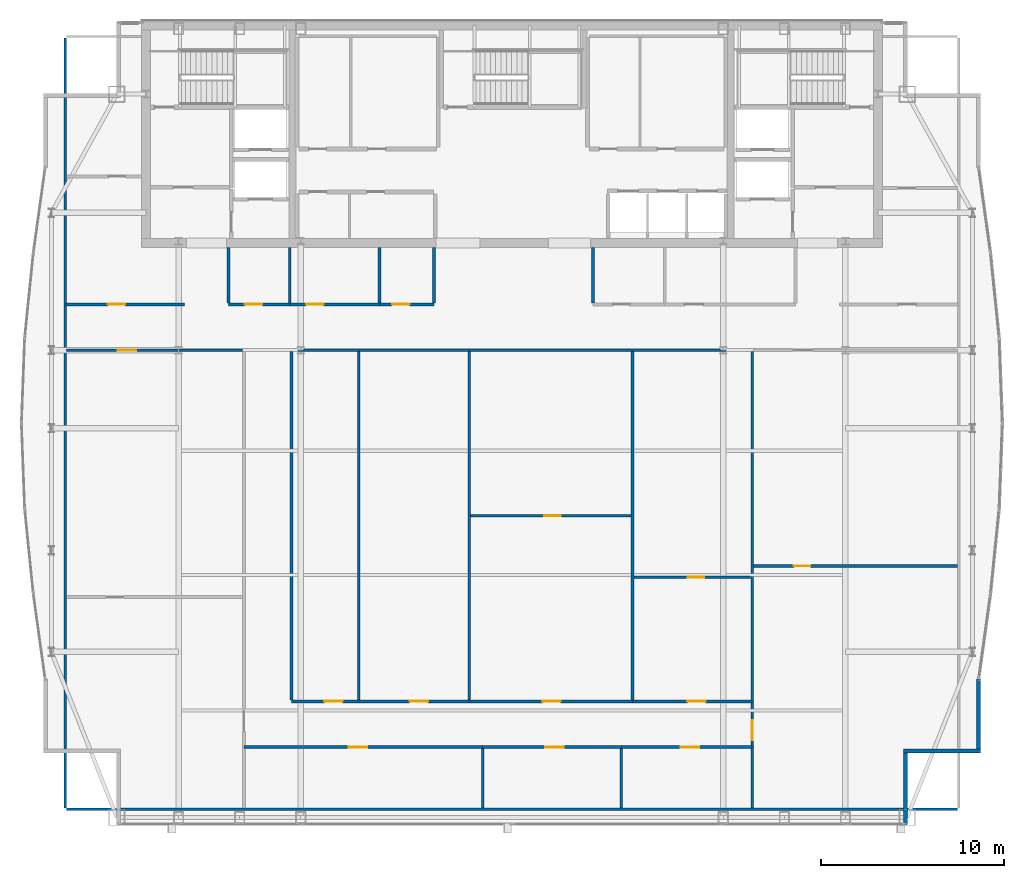
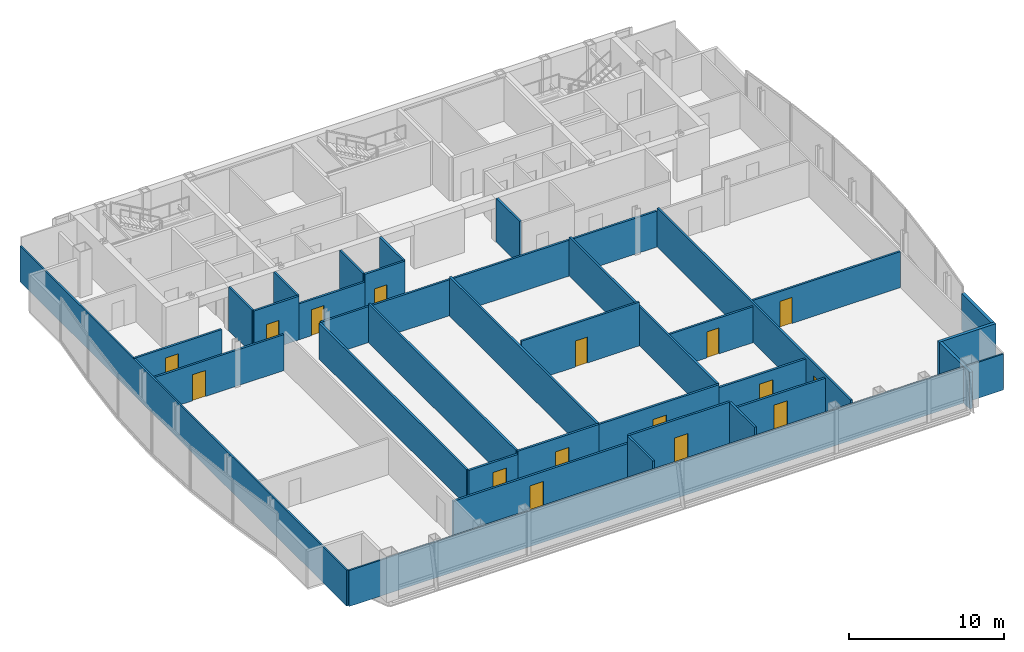
# One storey, part 21 of 26: 33 walls, 16 doors, 16 openings.
"""IFC4 building model written with IfcOpenShell, lengths in metres."""

from ifc_helpers import new_model, si_unit, direction, frame, frame_2d, origin, place, context, subcontext, project, spatial, rectangle, extrude, material, layer, layer_set, type_object, element, fill, save


model = new_model("IFC4")

# Units and contexts
model_context = context("Model", 3, precision=1e-05, world=origin(), true_north=direction((0.0, 1.0)))
body_context = subcontext(model_context, "Body", "Model", "MODEL_VIEW")
ifc_project = project(units=[si_unit("LENGTHUNIT", "METRE"), si_unit("AREAUNIT", "SQUARE_METRE"), si_unit("VOLUMEUNIT", "CUBIC_METRE"), si_unit("PLANEANGLEUNIT", "RADIAN"), si_unit("MASSUNIT", "GRAM", prefix="KILO")], contexts=[model_context])

# Site, building, storey
site_placement = place(None, origin())
site = spatial("IfcSite", under=ifc_project, at=site_placement, CompositionType="ELEMENT")
building_placement = place(site_placement, origin())
building = spatial("IfcBuilding", under=site, at=building_placement, Name="Khoronbel Lancet Exchange", CompositionType="ELEMENT")
storey_placement = place(building_placement, frame((0.0, 0.0, 339.800048828125)))
storey = spatial("IfcBuildingStorey", under=building, at=storey_placement, Name="L88", CompositionType="ELEMENT", Elevation=339.800048828125)

# Walls
ifc_material_1 = material(Name="Precast concrete C40/50", Category="concrete")
ifc_layer_1 = layer(ifc_material_1, 0.25, Name="Precast concrete C40/50")
ifc_layer_set_1 = layer_set([ifc_layer_1], Name="Precast concrete C40/50")
wall_type_1 = type_object("IfcWallType", Name="WL-EXT250", PredefinedType="SOLIDWALL", material=ifc_layer_set_1)
wall_1_placement = place(storey_placement, frame((61.9599609375, 17.726318359375, 0.0), z_axis=(0.0, 0.0, 1.0), x_axis=(0.0, -1.0, 0.0)))
element("IfcWall", 1, at=wall_1_placement, inside=storey, type_object=wall_type_1, Name="Level L88 notched-corner limestone pier 23", PredefinedType="SOLIDWALL", context=body_context, shape_type="SweptSolid", body=[
    extrude(rectangle(XDim=3.826416015625, YDim=0.219970703125, at=frame_2d((1.9130859375, 0.0))), origin(), (0.0, 0.0, 1.0), 2.8798828125),
])
wall_2_placement = place(storey_placement, frame((62.070068359375, 13.7900390625, 0.0), z_axis=(0.0, 0.0, 1.0), x_axis=(-1.0, 0.0, 0.0)))
element("IfcWall", 2, at=wall_2_placement, inside=storey, type_object=wall_type_1, Name="Level L88 notched-corner limestone pier 24", PredefinedType="SOLIDWALL", context=body_context, shape_type="SweptSolid", body=[
    extrude(rectangle(XDim=4.219970703125, YDim=0.219970703125, at=frame_2d((2.10986328125, 0.0))), origin(), (0.0, 0.0, 1.0), 2.8798828125),
])
wall_3_placement = place(storey_placement, frame((57.9599609375, 13.679931640625, 0.0), z_axis=(0.0, 0.0, 1.0), x_axis=(0.0, -1.0, 0.0)))
element("IfcWall", 3, at=wall_3_placement, inside=storey, type_object=wall_type_1, Name="Level L88 notched-corner limestone pier 25", PredefinedType="SOLIDWALL", context=body_context, shape_type="SweptSolid", body=[
    extrude(rectangle(XDim=3.909912109375, YDim=0.219970703125, at=frame_2d((1.955078125, 0.0))), origin(), (0.0, 0.0, 1.0), 2.8798828125),
])
ifc_material_2 = material(Name="Acoustic Metal-Stud & Mineral-Wool Gypsum Partition 120 mm", Category="gypsum")
ifc_layer_2 = layer(ifc_material_2, 0.1201171875, Name="Acoustic Metal-Stud & Mineral-Wool Gypsum Partition 120 mm")
ifc_layer_set_2 = layer_set([ifc_layer_2], Name="Acoustic Metal-Stud & Mineral-Wool Gypsum Partition 120 mm")
wall_type_2 = type_object("IfcWallType", Name="WL-PRT120", PredefinedType="PARTITIONING", material=ifc_layer_set_2)
for number, where, z_axis, x_axis, name in (
    (4, (20.949951171875, 38.280029296875, 0.0), (0.0, 0.0, 1.0), (0.0, 1.0, 0.0), "Level L88 interior partition PW-WC-0"),
    (5, (24.300048828125, 38.280029296875, 0.0), (0.0, 0.0, 1.0), (0.0, 1.0, 0.0), "Level L88 interior partition PW-WC-1"),
    (6, (29.199951171875, 38.280029296875, 0.0), (0.0, 0.0, 1.0), (0.0, 1.0, 0.0), "Level L88 interior partition PW-WC-2"),
    (7, (32.179931640625, 38.280029296875, 0.0), (0.0, 0.0, 1.0), (0.0, 1.0, 0.0), "Level L88 interior partition PW-WC-3"),
    (8, (40.8798828125, 38.280029296875, 0.0), (0.0, 0.0, 1.0), (0.0, 1.0, 0.0), "Level L88 interior partition PW-NP-0"),
):
    element("IfcWall", number, at=place(storey_placement, frame(where, z_axis=z_axis, x_axis=x_axis)), inside=storey, type_object=wall_type_2, Name=name, PredefinedType="PARTITIONING", context=body_context, shape_type="SweptSolid", body=[
        extrude(rectangle(XDim=3.02001953125, YDim=0.14990234375, at=frame_2d((1.510009765625, 0.0))), origin(), (0.0, 0.0, 1.0), 3.43994140625),
    ])

# Wall, opening, door
wall_4_placement = place(storey_placement, frame((49.659912109375, 23.89990234375, 0.0), z_axis=(0.0, 0.0, 1.0), x_axis=(1.0, 0.0, 0.0)))
wall_4 = element("IfcWall", 9, at=wall_4_placement, inside=storey, type_object=wall_type_2, Name="Level L88 interior partition PW-Z4-EH", PredefinedType="PARTITIONING", context=body_context, shape_type="SweptSolid", body=[
    extrude(rectangle(XDim=11.14501953125, YDim=0.14990234375, at=frame_2d((5.572509765625, 0.0))), origin(), (0.0, 0.0, 1.0), 2.829833984375),
])
opening_1_placement = place(wall_4_placement, frame((2.199951171875, 0.0, 0.0)))
opening_1 = element("IfcOpeningElement", 10, at=opening_1_placement, cuts=wall_4, Name="Opening D5", PredefinedType="OPENING", context=body_context, shape_type="SweptSolid", body=[
    extrude(rectangle(XDim=0.89990234375, YDim=2.050048828125, at=frame_2d((0.449951171875, 1.02490234375))), frame((0.0, 0.0849609375, 0.0), z_axis=(0.0, -1.0, 0.0), x_axis=(1.0, 0.0, 0.0)), (0.0, 0.0, 1.0), 0.169921875),
])
ifc_material_3 = material(Name="Acoustic Timber Pantry & Support Door", Category="wood")
door_type_1 = type_object("IfcDoorType", Name="DR-D5", OperationType="NOTDEFINED", PredefinedType="DOOR", material=ifc_material_3)
door_1_placement = place(opening_1_placement, origin())
door_1 = element("IfcDoor", 11, at=door_1_placement, inside=storey, type_object=door_type_1, Name="East lens inner door L88-1", OperationType="SINGLE_SWING_LEFT", OverallHeight=2.050048828125, OverallWidth=0.89990234375, PredefinedType="DOOR", context=body_context, shape_type="SweptSolid", body=[
    extrude(rectangle(XDim=0.89990234375, YDim=2.050048828125, at=frame_2d((0.449951171875, 1.02490234375))), frame((0.0, 0.02490234375, 0.0), z_axis=(0.0, -1.0, 0.0), x_axis=(1.0, 0.0, 0.0)), (0.0, 0.0, 1.0), 0.050048828125),
])
fill(opening_1, door_1)

wall_5_placement = place(storey_placement, frame((34.187255859375, 26.643310546875, 0.0), z_axis=(0.0, 0.0, 1.0), x_axis=(1.0, 0.0, 0.0)))
wall_5 = element("IfcWall", 12, at=wall_5_placement, inside=storey, type_object=wall_type_2, Name="Level L88 interior partition PW-Z4C-H3", PredefinedType="PARTITIONING", context=body_context, shape_type="SweptSolid", body=[
    extrude(rectangle(XDim=8.76904296875, YDim=0.14990234375, at=frame_2d((4.384521484375, 0.0))), origin(), (0.0, 0.0, 1.0), 3.43994140625),
])
opening_2_placement = place(wall_5_placement, frame((4.01806640625, 0.0, 0.0)))
opening_2 = element("IfcOpeningElement", 13, at=opening_2_placement, cuts=wall_5, Name="Opening D5", PredefinedType="OPENING", context=body_context, shape_type="SweptSolid", body=[
    extrude(rectangle(XDim=0.89990234375, YDim=2.050048828125, at=frame_2d((0.449951171875, 1.02490234375))), frame((0.0, 0.0849609375, 0.0), z_axis=(0.0, -1.0, 0.0), x_axis=(1.0, 0.0, 0.0)), (0.0, 0.0, 1.0), 0.169921875),
])
door_2_placement = place(opening_2_placement, origin())
door_2 = element("IfcDoor", 14, at=door_2_placement, inside=storey, type_object=door_type_1, Name="Z4C inner door 3 L88-1", OperationType="SINGLE_SWING_LEFT", OverallHeight=2.050048828125, OverallWidth=0.89990234375, PredefinedType="DOOR", context=body_context, shape_type="SweptSolid", body=[
    extrude(rectangle(XDim=0.89990234375, YDim=2.050048828125, at=frame_2d((0.449951171875, 1.02490234375))), frame((0.0, 0.02490234375, 0.0), z_axis=(0.0, -1.0, 0.0), x_axis=(1.0, 0.0, 0.0)), (0.0, 0.0, 1.0), 0.050048828125),
])
fill(opening_2, door_2)

wall_6_placement = place(storey_placement, frame((43.1162109375, 23.290771484375, 0.0), z_axis=(0.0, 0.0, 1.0), x_axis=(1.0, 0.0, 0.0)))
wall_6 = element("IfcWall", 15, at=wall_6_placement, inside=storey, type_object=wall_type_2, Name="Level L88 interior partition PW-Z4C-H4", PredefinedType="PARTITIONING", context=body_context, shape_type="SweptSolid", body=[
    extrude(rectangle(XDim=6.3837890625, YDim=0.14990234375, at=frame_2d((3.19189453125, 0.0))), origin(), (0.0, 0.0, 1.0), 2.829833984375),
])
opening_3_placement = place(wall_6_placement, frame((2.944580078125, 0.0, 0.0)))
opening_3 = element("IfcOpeningElement", 16, at=opening_3_placement, cuts=wall_6, Name="Opening D5", PredefinedType="OPENING", context=body_context, shape_type="SweptSolid", body=[
    extrude(rectangle(XDim=0.89990234375, YDim=2.050048828125, at=frame_2d((0.449951171875, 1.02490234375))), frame((0.0, 0.0849609375, 0.0), z_axis=(0.0, -1.0, 0.0), x_axis=(1.0, 0.0, 0.0)), (0.0, 0.0, 1.0), 0.169921875),
])
door_3_placement = place(opening_3_placement, origin())
door_3 = element("IfcDoor", 17, at=door_3_placement, inside=storey, type_object=door_type_1, Name="Z4C inner door 4 L88-1", OperationType="SINGLE_SWING_LEFT", OverallHeight=2.050048828125, OverallWidth=0.89990234375, PredefinedType="DOOR", context=body_context, shape_type="SweptSolid", body=[
    extrude(rectangle(XDim=0.89990234375, YDim=2.050048828125, at=frame_2d((0.449951171875, 1.02490234375))), frame((0.0, 0.02490234375, 0.0), z_axis=(0.0, -1.0, 0.0), x_axis=(1.0, 0.0, 0.0)), (0.0, 0.0, 1.0), 0.050048828125),
])
fill(opening_3, door_3)

# Walls
wall_7_placement = place(storey_placement, frame((12.030029296875, 10.6650390625, 0.0), z_axis=(0.0, 0.0, 1.0), x_axis=(0.0, 1.0, 0.0)))
element("IfcWall", 18, at=wall_7_placement, inside=storey, type_object=wall_type_2, Name="Level L88 interior partition PW-LIN-W", PredefinedType="PARTITIONING", context=body_context, shape_type="SweptSolid", body=[
    extrude(rectangle(XDim=42.10986328125, YDim=0.1201171875, at=frame_2d((21.054931640625, 0.0))), origin(), (0.0, 0.0, 1.0), 2.829833984375),
])
wall_8_placement = place(storey_placement, frame((12.094970703125, 10.60009765625, 0.0), z_axis=(0.0, 0.0, 1.0), x_axis=(1.0, 0.0, 0.0)))
element("IfcWall", 19, at=wall_8_placement, inside=storey, type_object=wall_type_2, Name="Level L88 interior partition PW-LIN-S", PredefinedType="PARTITIONING", context=body_context, shape_type="SweptSolid", body=[
    extrude(rectangle(XDim=48.7099609375, YDim=0.1201171875, at=frame_2d((24.35498046875, 0.0))), origin(), (0.0, 0.0, 1.0), 2.829833984375),
])

# Wall, opening, door
ifc_material_4 = material(Name="Fire-Rated Twin-Stud Acoustic Gypsum Partition 150 mm", Category="gypsum")
ifc_layer_3 = layer(ifc_material_4, 0.14990234375, Name="Fire-Rated Twin-Stud Acoustic Gypsum Partition 150 mm")
ifc_layer_set_3 = layer_set([ifc_layer_3], Name="Fire-Rated Twin-Stud Acoustic Gypsum Partition 150 mm")
wall_type_3 = type_object("IfcWallType", Name="WL-PRT150C", PredefinedType="PARTITIONING", material=ifc_layer_set_3)
wall_9_placement = place(storey_placement, frame((20.949951171875, 38.199951171875, 0.0), z_axis=(0.0, 0.0, 1.0), x_axis=(1.0, 0.0, 0.0)))
wall_9 = element("IfcWall", 20, at=wall_9_placement, inside=storey, type_object=wall_type_3, Name="Level L88 interior partition PW-WC-S1", PredefinedType="PARTITIONING", context=body_context, shape_type="SweptSolid", body=[
    extrude(rectangle(XDim=3.35009765625, YDim=0.14990234375, at=frame_2d((1.675048828125, 0.0))), origin(), (0.0, 0.0, 1.0), 3.43994140625),
])
opening_4_placement = place(wall_9_placement, frame((0.89990234375, 0.0, 0.0)))
opening_4 = element("IfcOpeningElement", 21, at=opening_4_placement, cuts=wall_9, Name="Opening D4", PredefinedType="OPENING", context=body_context, shape_type="SweptSolid", body=[
    extrude(rectangle(XDim=0.949951171875, YDim=2.050048828125, at=frame_2d((0.47509765625, 1.02490234375))), frame((0.0, 0.0849609375, 0.0), z_axis=(0.0, -1.0, 0.0), x_axis=(1.0, 0.0, 0.0)), (0.0, 0.0, 1.0), 0.169921875),
])
ifc_material_5 = material(Name="Moisture-Resistant HPL Washroom Door", Category="wood")
door_type_2 = type_object("IfcDoorType", Name="DR-D4", OperationType="NOTDEFINED", PredefinedType="DOOR", material=ifc_material_5)
door_4_placement = place(opening_4_placement, origin())
door_4 = element("IfcDoor", 22, at=door_4_placement, inside=storey, type_object=door_type_2, Name="Male washroom door L88-1", OperationType="SINGLE_SWING_LEFT", OverallHeight=2.050048828125, OverallWidth=0.949951171875, PredefinedType="DOOR", context=body_context, shape_type="SweptSolid", body=[
    extrude(rectangle(XDim=0.949951171875, YDim=2.050048828125, at=frame_2d((0.47509765625, 1.02490234375))), frame((0.0, 0.02490234375, 0.0), z_axis=(0.0, -1.0, 0.0), x_axis=(1.0, 0.0, 0.0)), (0.0, 0.0, 1.0), 0.050048828125),
])
fill(opening_4, door_4)

wall_10_placement = place(storey_placement, frame((24.300048828125, 38.199951171875, 0.0), z_axis=(0.0, 0.0, 1.0), x_axis=(1.0, 0.0, 0.0)))
wall_10 = element("IfcWall", 23, at=wall_10_placement, inside=storey, type_object=wall_type_3, Name="Level L88 interior partition PW-WC-S2", PredefinedType="PARTITIONING", context=body_context, shape_type="SweptSolid", body=[
    extrude(rectangle(XDim=4.89990234375, YDim=0.14990234375, at=frame_2d((2.449951171875, 0.0))), origin(), (0.0, 0.0, 1.0), 2.829833984375),
])
opening_5_placement = place(wall_10_placement, frame((0.89990234375, 0.0, 0.0)))
opening_5 = element("IfcOpeningElement", 24, at=opening_5_placement, cuts=wall_10, Name="Opening D4", PredefinedType="OPENING", context=body_context, shape_type="SweptSolid", body=[
    extrude(rectangle(XDim=0.949951171875, YDim=2.050048828125, at=frame_2d((0.47509765625, 1.02490234375))), frame((0.0, 0.0849609375, 0.0), z_axis=(0.0, -1.0, 0.0), x_axis=(1.0, 0.0, 0.0)), (0.0, 0.0, 1.0), 0.169921875),
])
door_5_placement = place(opening_5_placement, origin())
door_5 = element("IfcDoor", 25, at=door_5_placement, inside=storey, type_object=door_type_2, Name="Female washroom door L88-1", OperationType="SINGLE_SWING_RIGHT", OverallHeight=2.050048828125, OverallWidth=0.949951171875, PredefinedType="DOOR", context=body_context, shape_type="SweptSolid", body=[
    extrude(rectangle(XDim=0.949951171875, YDim=2.050048828125, at=frame_2d((0.47509765625, 1.02490234375))), frame((0.0, 0.02490234375, 0.0), z_axis=(0.0, -1.0, 0.0), x_axis=(1.0, 0.0, 0.0)), (0.0, 0.0, 1.0), 0.050048828125),
])
fill(opening_5, door_5)

wall_11_placement = place(storey_placement, frame((29.199951171875, 38.199951171875, 0.0), z_axis=(0.0, 0.0, 1.0), x_axis=(1.0, 0.0, 0.0)))
wall_11 = element("IfcWall", 26, at=wall_11_placement, inside=storey, type_object=wall_type_3, Name="Level L88 interior partition PW-WC-S3", PredefinedType="PARTITIONING", context=body_context, shape_type="SweptSolid", body=[
    extrude(rectangle(XDim=2.97998046875, YDim=0.14990234375, at=frame_2d((1.489990234375, 0.0))), origin(), (0.0, 0.0, 1.0), 3.43994140625),
])
opening_6_placement = place(wall_11_placement, frame((0.699951171875, 0.0, 0.0)))
opening_6 = element("IfcOpeningElement", 27, at=opening_6_placement, cuts=wall_11, Name="Opening D4", PredefinedType="OPENING", context=body_context, shape_type="SweptSolid", body=[
    extrude(rectangle(XDim=0.949951171875, YDim=2.050048828125, at=frame_2d((0.47509765625, 1.02490234375))), frame((0.0, 0.0849609375, 0.0), z_axis=(0.0, -1.0, 0.0), x_axis=(1.0, 0.0, 0.0)), (0.0, 0.0, 1.0), 0.169921875),
])
door_6_placement = place(opening_6_placement, origin())
door_6 = element("IfcDoor", 28, at=door_6_placement, inside=storey, type_object=door_type_2, Name="Accessible WC door L88-1", OperationType="SINGLE_SWING_LEFT", OverallHeight=2.050048828125, OverallWidth=0.949951171875, PredefinedType="DOOR", context=body_context, shape_type="SweptSolid", body=[
    extrude(rectangle(XDim=0.949951171875, YDim=2.050048828125, at=frame_2d((0.47509765625, 1.02490234375))), frame((0.0, 0.02490234375, 0.0), z_axis=(0.0, -1.0, 0.0), x_axis=(1.0, 0.0, 0.0)), (0.0, 0.0, 1.0), 0.050048828125),
])
fill(opening_6, door_6)

wall_12_placement = place(storey_placement, frame((12.030029296875, 38.199951171875, 0.0), z_axis=(0.0, 0.0, 1.0), x_axis=(1.0, 0.0, 0.0)))
wall_12 = element("IfcWall", 29, at=wall_12_placement, inside=storey, type_object=wall_type_3, Name="Level L88 interior partition PW-NW-S", PredefinedType="PARTITIONING", context=body_context, shape_type="SweptSolid", body=[
    extrude(rectangle(XDim=6.52001953125, YDim=0.14990234375, at=frame_2d((3.260009765625, 0.0))), origin(), (0.0, 0.0, 1.0), 2.829833984375),
])
opening_7_placement = place(wall_12_placement, frame((2.320068359375, 0.0, 0.0)))
opening_7 = element("IfcOpeningElement", 30, at=opening_7_placement, cuts=wall_12, Name="Opening D1", PredefinedType="OPENING", context=body_context, shape_type="SweptSolid", body=[
    extrude(rectangle(XDim=0.949951171875, YDim=2.050048828125, at=frame_2d((0.47509765625, 1.02490234375))), frame((0.0, 0.0849609375, 0.0), z_axis=(0.0, -1.0, 0.0), x_axis=(1.0, 0.0, 0.0)), (0.0, 0.0, 1.0), 0.169921875),
])
ifc_material_6 = material(Name="Acoustic Veneered Timber & Bronze Frame Door", Category="wood")
door_type_3 = type_object("IfcDoorType", Name="DR-D1", OperationType="NOTDEFINED", PredefinedType="DOOR", material=ifc_material_6)
door_7_placement = place(opening_7_placement, origin())
door_7 = element("IfcDoor", 31, at=door_7_placement, inside=storey, type_object=door_type_3, Name="NW corner room door L88-1", OperationType="SINGLE_SWING_RIGHT", OverallHeight=2.050048828125, OverallWidth=0.949951171875, PredefinedType="DOOR", context=body_context, shape_type="SweptSolid", body=[
    extrude(rectangle(XDim=0.949951171875, YDim=2.050048828125, at=frame_2d((0.47509765625, 1.02490234375))), frame((0.0, 0.02490234375, 0.0), z_axis=(0.0, -1.0, 0.0), x_axis=(1.0, 0.0, 0.0)), (0.0, 0.0, 1.0), 0.050048828125),
])
fill(opening_7, door_7)

wall_13_placement = place(storey_placement, frame((12.094970703125, 35.699951171875, 0.0), z_axis=(0.0, 0.0, 1.0), x_axis=(1.0, 0.0, 0.0)))
wall_13 = element("IfcWall", 32, at=wall_13_placement, inside=storey, type_object=wall_type_3, Name="Level L88 interior partition PW-Z4-WN", PredefinedType="PARTITIONING", context=body_context, shape_type="SweptSolid", body=[
    extrude(rectangle(XDim=9.625, YDim=0.14990234375, at=frame_2d((4.8125, 0.0))), origin(), (0.0, 0.0, 1.0), 2.829833984375),
])
opening_8_placement = place(wall_13_placement, frame((2.800048828125, 0.0, 0.0)))
opening_8 = element("IfcOpeningElement", 33, at=opening_8_placement, cuts=wall_13, Name="Opening D2", PredefinedType="OPENING", context=body_context, shape_type="SweptSolid", body=[
    extrude(rectangle(XDim=1.0, YDim=2.050048828125, at=frame_2d((0.5, 1.02490234375))), frame((0.0, 0.0849609375, 0.0), z_axis=(0.0, -1.0, 0.0), x_axis=(1.0, 0.0, 0.0)), (0.0, 0.0, 1.0), 0.169921875),
])
door_type_4 = type_object("IfcDoorType", Name="DR-D2", OperationType="NOTDEFINED", PredefinedType="DOOR", material=ifc_material_6)
door_8_placement = place(opening_8_placement, origin())
door_8 = element("IfcDoor", 34, at=door_8_placement, inside=storey, type_object=door_type_4, Name="West lens north door L88-1", OperationType="SINGLE_SWING_LEFT", OverallHeight=2.050048828125, OverallWidth=1.0, PredefinedType="DOOR", context=body_context, shape_type="SweptSolid", body=[
    extrude(rectangle(XDim=1.0, YDim=2.050048828125, at=frame_2d((0.5, 1.02490234375))), frame((0.0, 0.02490234375, 0.0), z_axis=(0.0, -1.0, 0.0), x_axis=(1.0, 0.0, 0.0)), (0.0, 0.0, 1.0), 0.050048828125),
])
fill(opening_8, door_8)

# Wall
wall_14_placement = place(storey_placement, frame((24.39990234375, 16.5849609375, 0.0), z_axis=(0.0, 0.0, 1.0), x_axis=(0.0, 1.0, 0.0)))
element("IfcWall", 35, at=wall_14_placement, inside=storey, type_object=wall_type_3, Name="Level L88 interior partition PW-Z4-WE", PredefinedType="PARTITIONING", context=body_context, shape_type="SweptSolid", body=[
    extrude(rectangle(XDim=19.03515625, YDim=0.14990234375, at=frame_2d((9.517578125, 0.0))), origin(), (0.0, 0.0, 1.0), 2.829833984375),
])

# Wall, opening, door
wall_15_placement = place(storey_placement, frame((49.580078125, 10.6650390625, 0.0), z_axis=(0.0, 0.0, 1.0), x_axis=(0.0, 1.0, 0.0)))
wall_15 = element("IfcWall", 36, at=wall_15_placement, inside=storey, type_object=wall_type_3, Name="Level L88 interior partition PW-Z4-PE", PredefinedType="PARTITIONING", context=body_context, shape_type="SweptSolid", body=[
    extrude(rectangle(XDim=24.955078125, YDim=0.14990234375, at=frame_2d((12.4775390625, 0.0))), origin(), (0.0, 0.0, 1.0), 3.070068359375),
])
opening_9_placement = place(wall_15_placement, frame((3.699951171875, 0.0, 0.0)))
opening_9 = element("IfcOpeningElement", 37, at=opening_9_placement, cuts=wall_15, Name="Opening D6", PredefinedType="OPENING", context=body_context, shape_type="SweptSolid", body=[
    extrude(rectangle(XDim=1.10009765625, YDim=2.10009765625, at=frame_2d((0.550048828125, 1.050048828125))), frame((0.0, 0.0849609375, 0.0), z_axis=(0.0, -1.0, 0.0), x_axis=(1.0, 0.0, 0.0)), (0.0, 0.0, 1.0), 0.169921875),
])
ifc_material_7 = material(Name="Acoustic Bronze-Veneer Executive Suite Door", Category="wood")
door_type_5 = type_object("IfcDoorType", Name="DR-D6", OperationType="NOTDEFINED", PredefinedType="DOOR", material=ifc_material_7)
door_9_placement = place(opening_9_placement, origin())
door_9 = element("IfcDoor", 38, at=door_9_placement, inside=storey, type_object=door_type_5, Name="East lens south door L88-1", OperationType="SINGLE_SWING_LEFT", OverallHeight=2.10009765625, OverallWidth=1.10009765625, PredefinedType="DOOR", context=body_context, shape_type="SweptSolid", body=[
    extrude(rectangle(XDim=1.10009765625, YDim=2.10009765625, at=frame_2d((0.550048828125, 1.050048828125))), frame((0.0, 0.02490234375, 0.0), z_axis=(0.0, -1.0, 0.0), x_axis=(1.0, 0.0, 0.0)), (0.0, 0.0, 1.0), 0.050048828125),
])
fill(opening_9, door_9)

# Walls
wall_16_placement = place(storey_placement, frame((24.47998046875, 35.699951171875, 0.0), z_axis=(0.0, 0.0, 1.0), x_axis=(1.0, 0.0, 0.0)))
element("IfcWall", 39, at=wall_16_placement, inside=storey, type_object=wall_type_3, Name="Level L88 interior partition PW-Z4-EN1", PredefinedType="PARTITIONING", context=body_context, shape_type="SweptSolid", body=[
    extrude(rectangle(XDim=25.02001953125, YDim=0.14990234375, at=frame_2d((12.510009765625, 0.0))), origin(), (0.0, 0.0, 1.0), 2.829833984375),
])
for number, where, z_axis, x_axis, name in (
    (40, (28.07373046875, 16.5849609375, 0.0), (0.0, 0.0, 1.0), (0.0, 1.0, 0.0), "Level L88 interior partition PW-Z4C-V1"),
    (41, (34.107177734375, 16.5849609375, 0.0), (0.0, 0.0, 1.0), (0.0, 1.0, 0.0), "Level L88 interior partition PW-Z4C-V2"),
    (42, (43.036376953125, 16.5849609375, 0.0), (0.0, 0.0, 1.0), (0.0, 1.0, 0.0), "Level L88 interior partition PW-Z4C-V3"),
):
    element("IfcWall", number, at=place(storey_placement, frame(where, z_axis=z_axis, x_axis=x_axis)), inside=storey, type_object=wall_type_3, Name=name, PredefinedType="PARTITIONING", context=body_context, shape_type="SweptSolid", body=[
        extrude(rectangle(XDim=19.03515625, YDim=0.14990234375, at=frame_2d((9.517578125, 0.0))), origin(), (0.0, 0.0, 1.0), 3.070068359375),
    ])
for number, where, z_axis, x_axis, name in (
    (43, (34.84814453125, 10.6650390625, 0.0), (0.0, 0.0, 1.0), (0.0, 1.0, 0.0), "Level L88 interior partition PW-Z4S-V1"),
    (44, (42.424560546875, 10.6650390625, 0.0), (0.0, 0.0, 1.0), (0.0, 1.0, 0.0), "Level L88 interior partition PW-Z4S-V2"),
):
    element("IfcWall", number, at=place(storey_placement, frame(where, z_axis=z_axis, x_axis=x_axis)), inside=storey, type_object=wall_type_3, Name=name, PredefinedType="PARTITIONING", context=body_context, shape_type="SweptSolid", body=[
        extrude(rectangle(XDim=3.25, YDim=0.14990234375, at=frame_2d((1.625, 0.0))), origin(), (0.0, 0.0, 1.0), 3.43994140625),
    ])

# Wall, opening, door
ifc_material_8 = material(Name="Fire-Rated Twin-Stud Acoustic Gypsum Partition 160 mm", Category="gypsum")
ifc_layer_4 = layer(ifc_material_8, 0.159912109375, Name="Fire-Rated Twin-Stud Acoustic Gypsum Partition 160 mm")
ifc_layer_set_4 = layer_set([ifc_layer_4], Name="Fire-Rated Twin-Stud Acoustic Gypsum Partition 160 mm")
wall_type_4 = type_object("IfcWallType", Name="WL-PRT160C", PredefinedType="PARTITIONING", material=ifc_layer_set_4)
wall_17_placement = place(storey_placement, frame((24.39990234375, 16.5, 0.0), z_axis=(0.0, 0.0, 1.0), x_axis=(1.0, 0.0, 0.0)))
wall_17 = element("IfcWall", 45, at=wall_17_placement, inside=storey, type_object=wall_type_4, Name="Level L88 interior partition PW-Z4C-COR1", PredefinedType="PARTITIONING", context=body_context, shape_type="SweptSolid", body=[
    extrude(rectangle(XDim=3.673828125, YDim=0.159912109375, at=frame_2d((1.8369140625, 0.0))), origin(), (0.0, 0.0, 1.0), 2.829833984375),
])
opening_10_placement = place(wall_17_placement, frame((1.79296875, 0.0, 0.0)))
opening_10 = element("IfcOpeningElement", 46, at=opening_10_placement, cuts=wall_17, Name="Opening D2", PredefinedType="OPENING", context=body_context, shape_type="SweptSolid", body=[
    extrude(rectangle(XDim=1.0, YDim=2.050048828125, at=frame_2d((0.5, 1.02490234375))), frame((0.0, 0.08984375, 0.0), z_axis=(0.0, -1.0, 0.0), x_axis=(1.0, 0.0, 0.0)), (0.0, 0.0, 1.0), 0.179931640625),
])
door_10_placement = place(opening_10_placement, origin())
door_10 = element("IfcDoor", 47, at=door_10_placement, inside=storey, type_object=door_type_4, Name="Z4C bay 1 door L88-1", OperationType="SINGLE_SWING_RIGHT", OverallHeight=2.050048828125, OverallWidth=1.0, PredefinedType="DOOR", context=body_context, shape_type="SweptSolid", body=[
    extrude(rectangle(XDim=1.0, YDim=2.050048828125, at=frame_2d((0.5, 1.02490234375))), frame((0.0, 0.02490234375, 0.0), z_axis=(0.0, -1.0, 0.0), x_axis=(1.0, 0.0, 0.0)), (0.0, 0.0, 1.0), 0.050048828125),
])
fill(opening_10, door_10)

wall_18_placement = place(storey_placement, frame((28.07373046875, 16.5, 0.0), z_axis=(0.0, 0.0, 1.0), x_axis=(1.0, 0.0, 0.0)))
wall_18 = element("IfcWall", 48, at=wall_18_placement, inside=storey, type_object=wall_type_4, Name="Level L88 interior partition PW-Z4C-COR2", PredefinedType="PARTITIONING", context=body_context, shape_type="SweptSolid", body=[
    extrude(rectangle(XDim=6.033447265625, YDim=0.159912109375, at=frame_2d((3.0166015625, 0.0))), origin(), (0.0, 0.0, 1.0), 3.070068359375),
])
opening_11_placement = place(wall_18_placement, frame((2.7841796875, 0.0, 0.0)))
opening_11 = element("IfcOpeningElement", 49, at=opening_11_placement, cuts=wall_18, Name="Opening D2", PredefinedType="OPENING", context=body_context, shape_type="SweptSolid", body=[
    extrude(rectangle(XDim=1.0, YDim=2.050048828125, at=frame_2d((0.5, 1.02490234375))), frame((0.0, 0.08984375, 0.0), z_axis=(0.0, -1.0, 0.0), x_axis=(1.0, 0.0, 0.0)), (0.0, 0.0, 1.0), 0.179931640625),
])
door_11_placement = place(opening_11_placement, origin())
door_11 = element("IfcDoor", 50, at=door_11_placement, inside=storey, type_object=door_type_4, Name="Z4C bay 2 door L88-1", OperationType="SINGLE_SWING_LEFT", OverallHeight=2.050048828125, OverallWidth=1.0, PredefinedType="DOOR", context=body_context, shape_type="SweptSolid", body=[
    extrude(rectangle(XDim=1.0, YDim=2.050048828125, at=frame_2d((0.5, 1.02490234375))), frame((0.0, 0.02490234375, 0.0), z_axis=(0.0, -1.0, 0.0), x_axis=(1.0, 0.0, 0.0)), (0.0, 0.0, 1.0), 0.050048828125),
])
fill(opening_11, door_11)

wall_19_placement = place(storey_placement, frame((34.107177734375, 16.5, 0.0), z_axis=(0.0, 0.0, 1.0), x_axis=(1.0, 0.0, 0.0)))
wall_19 = element("IfcWall", 51, at=wall_19_placement, inside=storey, type_object=wall_type_4, Name="Level L88 interior partition PW-Z4C-COR3", PredefinedType="PARTITIONING", context=body_context, shape_type="SweptSolid", body=[
    extrude(rectangle(XDim=8.92919921875, YDim=0.159912109375, at=frame_2d((4.464599609375, 0.0))), origin(), (0.0, 0.0, 1.0), 3.070068359375),
])
opening_12_placement = place(wall_19_placement, frame((4.000244140625, 0.0, 0.0)))
opening_12 = element("IfcOpeningElement", 52, at=opening_12_placement, cuts=wall_19, Name="Opening D2", PredefinedType="OPENING", context=body_context, shape_type="SweptSolid", body=[
    extrude(rectangle(XDim=1.0, YDim=2.050048828125, at=frame_2d((0.5, 1.02490234375))), frame((0.0, 0.08984375, 0.0), z_axis=(0.0, -1.0, 0.0), x_axis=(1.0, 0.0, 0.0)), (0.0, 0.0, 1.0), 0.179931640625),
])
door_12_placement = place(opening_12_placement, origin())
door_12 = element("IfcDoor", 53, at=door_12_placement, inside=storey, type_object=door_type_4, Name="Z4C bay 3 door L88-1", OperationType="SINGLE_SWING_RIGHT", OverallHeight=2.050048828125, OverallWidth=1.0, PredefinedType="DOOR", context=body_context, shape_type="SweptSolid", body=[
    extrude(rectangle(XDim=1.0, YDim=2.050048828125, at=frame_2d((0.5, 1.02490234375))), frame((0.0, 0.02490234375, 0.0), z_axis=(0.0, -1.0, 0.0), x_axis=(1.0, 0.0, 0.0)), (0.0, 0.0, 1.0), 0.050048828125),
])
fill(opening_12, door_12)

wall_20_placement = place(storey_placement, frame((43.036376953125, 16.5, 0.0), z_axis=(0.0, 0.0, 1.0), x_axis=(1.0, 0.0, 0.0)))
wall_20 = element("IfcWall", 54, at=wall_20_placement, inside=storey, type_object=wall_type_4, Name="Level L88 interior partition PW-Z4C-COR4", PredefinedType="PARTITIONING", context=body_context, shape_type="SweptSolid", body=[
    extrude(rectangle(XDim=6.543701171875, YDim=0.159912109375, at=frame_2d((3.27197265625, 0.0))), origin(), (0.0, 0.0, 1.0), 2.829833984375),
])
opening_13_placement = place(wall_20_placement, frame((2.998291015625, 0.0, 0.0)))
opening_13 = element("IfcOpeningElement", 55, at=opening_13_placement, cuts=wall_20, Name="Opening D2", PredefinedType="OPENING", context=body_context, shape_type="SweptSolid", body=[
    extrude(rectangle(XDim=1.0, YDim=2.050048828125, at=frame_2d((0.5, 1.02490234375))), frame((0.0, 0.08984375, 0.0), z_axis=(0.0, -1.0, 0.0), x_axis=(1.0, 0.0, 0.0)), (0.0, 0.0, 1.0), 0.179931640625),
])
door_13_placement = place(opening_13_placement, origin())
door_13 = element("IfcDoor", 56, at=door_13_placement, inside=storey, type_object=door_type_4, Name="Z4C bay 4 door L88-1", OperationType="SINGLE_SWING_RIGHT", OverallHeight=2.050048828125, OverallWidth=1.0, PredefinedType="DOOR", context=body_context, shape_type="SweptSolid", body=[
    extrude(rectangle(XDim=1.0, YDim=2.050048828125, at=frame_2d((0.5, 1.02490234375))), frame((0.0, 0.02490234375, 0.0), z_axis=(0.0, -1.0, 0.0), x_axis=(1.0, 0.0, 0.0)), (0.0, 0.0, 1.0), 0.050048828125),
])
fill(opening_13, door_13)

wall_21_placement = place(storey_placement, frame((21.800048828125, 14.0, 0.0), z_axis=(0.0, 0.0, 1.0), x_axis=(1.0, 0.0, 0.0)))
wall_21 = element("IfcWall", 57, at=wall_21_placement, inside=storey, type_object=wall_type_4, Name="Level L88 interior partition PW-Z4S-COR1", PredefinedType="PARTITIONING", context=body_context, shape_type="SweptSolid", body=[
    extrude(rectangle(XDim=13.048095703125, YDim=0.159912109375, at=frame_2d((6.52392578125, 0.0))), origin(), (0.0, 0.0, 1.0), 2.829833984375),
])
opening_14_placement = place(wall_21_placement, frame((5.730224609375, 0.0, 0.0)))
opening_14 = element("IfcOpeningElement", 58, at=opening_14_placement, cuts=wall_21, Name="Opening D2", PredefinedType="OPENING", context=body_context, shape_type="SweptSolid", body=[
    extrude(rectangle(XDim=1.0, YDim=2.050048828125, at=frame_2d((0.5, 1.02490234375))), frame((0.0, 0.08984375, 0.0), z_axis=(0.0, -1.0, 0.0), x_axis=(1.0, 0.0, 0.0)), (0.0, 0.0, 1.0), 0.179931640625),
])
door_14_placement = place(opening_14_placement, origin())
door_14 = element("IfcDoor", 59, at=door_14_placement, inside=storey, type_object=door_type_4, Name="Z4S bay 1 door L88-1", OperationType="SINGLE_SWING_RIGHT", OverallHeight=2.050048828125, OverallWidth=1.0, PredefinedType="DOOR", context=body_context, shape_type="SweptSolid", body=[
    extrude(rectangle(XDim=1.0, YDim=2.050048828125, at=frame_2d((0.5, 1.02490234375))), frame((0.0, 0.02490234375, 0.0), z_axis=(0.0, -1.0, 0.0), x_axis=(1.0, 0.0, 0.0)), (0.0, 0.0, 1.0), 0.050048828125),
])
fill(opening_14, door_14)

wall_22_placement = place(storey_placement, frame((34.84814453125, 14.0, 0.0), z_axis=(0.0, 0.0, 1.0), x_axis=(1.0, 0.0, 0.0)))
wall_22 = element("IfcWall", 60, at=wall_22_placement, inside=storey, type_object=wall_type_4, Name="Level L88 interior partition PW-Z4S-COR2", PredefinedType="PARTITIONING", context=body_context, shape_type="SweptSolid", body=[
    extrude(rectangle(XDim=7.576416015625, YDim=0.159912109375, at=frame_2d((3.7880859375, 0.0))), origin(), (0.0, 0.0, 1.0), 3.43994140625),
])
opening_15_placement = place(wall_22_placement, frame((3.431884765625, 0.0, 0.0)))
opening_15 = element("IfcOpeningElement", 61, at=opening_15_placement, cuts=wall_22, Name="Opening D2", PredefinedType="OPENING", context=body_context, shape_type="SweptSolid", body=[
    extrude(rectangle(XDim=1.0, YDim=2.050048828125, at=frame_2d((0.5, 1.02490234375))), frame((0.0, 0.08984375, 0.0), z_axis=(0.0, -1.0, 0.0), x_axis=(1.0, 0.0, 0.0)), (0.0, 0.0, 1.0), 0.179931640625),
])
door_15_placement = place(opening_15_placement, origin())
door_15 = element("IfcDoor", 62, at=door_15_placement, inside=storey, type_object=door_type_4, Name="Z4S bay 2 door L88-1", OperationType="SINGLE_SWING_LEFT", OverallHeight=2.050048828125, OverallWidth=1.0, PredefinedType="DOOR", context=body_context, shape_type="SweptSolid", body=[
    extrude(rectangle(XDim=1.0, YDim=2.050048828125, at=frame_2d((0.5, 1.02490234375))), frame((0.0, 0.02490234375, 0.0), z_axis=(0.0, -1.0, 0.0), x_axis=(1.0, 0.0, 0.0)), (0.0, 0.0, 1.0), 0.050048828125),
])
fill(opening_15, door_15)

wall_23_placement = place(storey_placement, frame((42.424560546875, 14.0, 0.0), z_axis=(0.0, 0.0, 1.0), x_axis=(1.0, 0.0, 0.0)))
wall_23 = element("IfcWall", 63, at=wall_23_placement, inside=storey, type_object=wall_type_4, Name="Level L88 interior partition PW-Z4S-COR3", PredefinedType="PARTITIONING", context=body_context, shape_type="SweptSolid", body=[
    extrude(rectangle(XDim=7.155517578125, YDim=0.159912109375, at=frame_2d((3.57763671875, 0.0))), origin(), (0.0, 0.0, 1.0), 2.829833984375),
])
opening_16_placement = place(wall_23_placement, frame((3.25537109375, 0.0, 0.0)))
opening_16 = element("IfcOpeningElement", 64, at=opening_16_placement, cuts=wall_23, Name="Opening D2", PredefinedType="OPENING", context=body_context, shape_type="SweptSolid", body=[
    extrude(rectangle(XDim=1.0, YDim=2.050048828125, at=frame_2d((0.5, 1.02490234375))), frame((0.0, 0.08984375, 0.0), z_axis=(0.0, -1.0, 0.0), x_axis=(1.0, 0.0, 0.0)), (0.0, 0.0, 1.0), 0.179931640625),
])
door_16_placement = place(opening_16_placement, origin())
door_16 = element("IfcDoor", 65, at=door_16_placement, inside=storey, type_object=door_type_4, Name="Z4S bay 3 door L88-1", OperationType="SINGLE_SWING_RIGHT", OverallHeight=2.050048828125, OverallWidth=1.0, PredefinedType="DOOR", context=body_context, shape_type="SweptSolid", body=[
    extrude(rectangle(XDim=1.0, YDim=2.050048828125, at=frame_2d((0.5, 1.02490234375))), frame((0.0, 0.02490234375, 0.0), z_axis=(0.0, -1.0, 0.0), x_axis=(1.0, 0.0, 0.0)), (0.0, 0.0, 1.0), 0.050048828125),
])
fill(opening_16, door_16)

save(model, "model.ifc")
